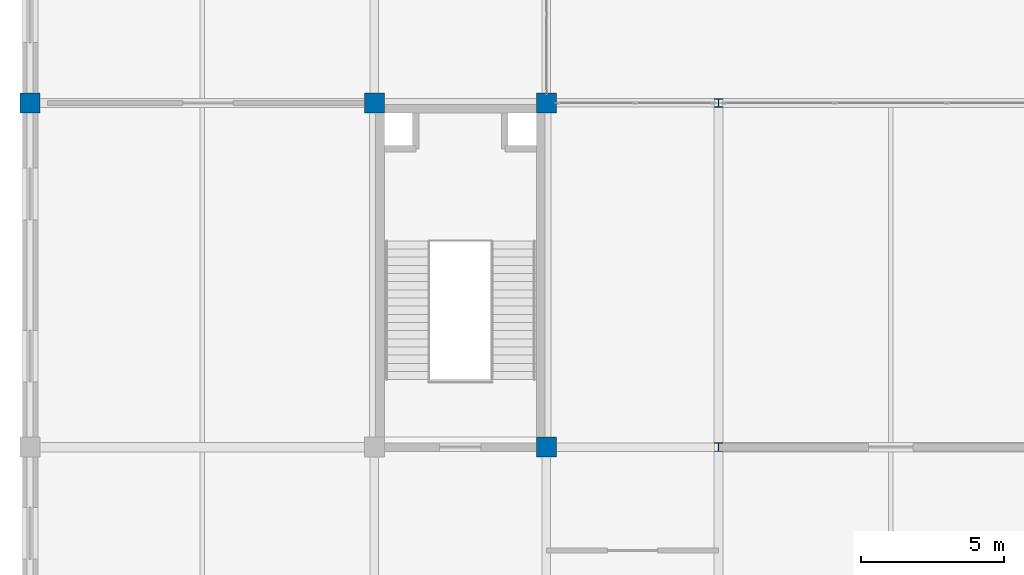
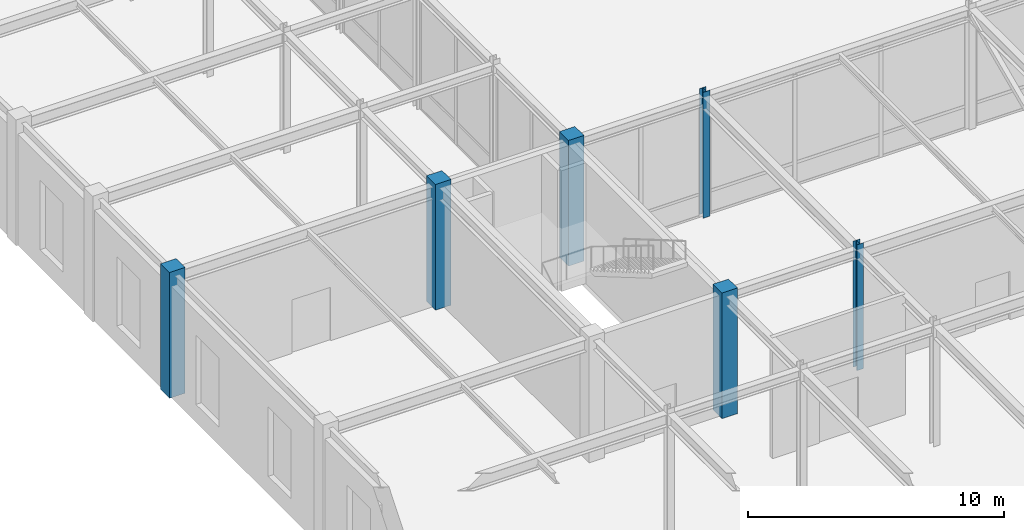
# One storey, part 2 of 108: 6 columns.
"""IFC4 building model written with IfcOpenShell, lengths in metres."""

import ifcopenshell
import ifcopenshell.guid

model = None  # the IFC model being written
_history = None  # IfcOwnerHistory: only IFC2X3 demands one
_inside = {}  # id of a spatial element -> (the spatial element, [elements in it])
_under = {}  # id of a project, library or spatial element -> (it, [spatial elements below it])
_declared = {}  # id of a project -> (the project, [libraries it declares])
_typed = {}  # id of a type object -> (the type object, [elements of that type])
_made_of = {}  # id of a material, layer set ... -> (it, [elements and type objects made of it])


def new_model(schema):
    """Start an empty IFC model of exactly this schema.

    Asked for "IFC4X3", IfcOpenShell would pick the latest addendum, in which some entities
    have other attributes; the version numbers below select the first issue.
    IFC2X3 requires an IfcOwnerHistory on every rooted entity: one is made here for all.
    """
    global model, _history
    if schema == "IFC4X3":
        model = ifcopenshell.file(schema_version=(4, 3, 0, 0))
    else:
        model = ifcopenshell.file(schema=schema)
    _inside.clear()
    _under.clear()
    _declared.clear()
    _typed.clear()
    _made_of.clear()
    _history = None
    if model.schema == "IFC2X3":
        org = make("IfcOrganization", Name="unknown")
        user = make(
            "IfcPersonAndOrganization",
            ThePerson=make("IfcPerson", FamilyName="unknown"),
            TheOrganization=org,
        )
        app = make(
            "IfcApplication",
            ApplicationDeveloper=org,
            Version="unknown",
            ApplicationFullName="unknown",
            ApplicationIdentifier="unknown",
        )
        _history = make(
            "IfcOwnerHistory",
            OwningUser=user,
            OwningApplication=app,
            ChangeAction="ADDED",
            CreationDate=0,
        )
    return model


def make(cls, **values):
    """One entity of the class cls with the attributes given. An attribute that is None is left unset."""
    return model.create_entity(
        cls, **{name: value for name, value in values.items() if value is not None}
    )


def rooted(cls, **values):
    """An entity with a GlobalId (a new one), such as an element, a storey or a relation."""
    return make(cls, GlobalId=ifcopenshell.guid.new(), OwnerHistory=_history, **values)


def si_unit(unit_type, name, prefix=None):
    """IfcSIUnit, for example si_unit("LENGTHUNIT", "METRE", prefix="MILLI")."""
    return make("IfcSIUnit", UnitType=unit_type, Prefix=prefix, Name=name)


def assignment(units):
    """IfcUnitAssignment: the units of a project."""
    return None if units is None else make("IfcUnitAssignment", Units=units)


def point(xyz):
    """IfcCartesianPoint."""
    return None if xyz is None else make("IfcCartesianPoint", Coordinates=xyz)


def direction(xyz):
    """IfcDirection."""
    return None if xyz is None else make("IfcDirection", DirectionRatios=xyz)


def frame(location, z_axis=None, x_axis=None):
    """IfcAxis2Placement3D, a coordinate frame: its origin and axes. An axis left out is left unset."""
    return make(
        "IfcAxis2Placement3D",
        Location=point(location),
        Axis=direction(z_axis),
        RefDirection=direction(x_axis),
    )


def frame_2d(location, x_axis=None):
    """IfcAxis2Placement2D, a coordinate frame in the plane: its origin and x axis."""
    return make(
        "IfcAxis2Placement2D", Location=point(location), RefDirection=direction(x_axis)
    )


def origin():
    """The frame at (0, 0, 0) with its axes left unset."""
    return frame((0.0, 0.0, 0.0))


def origin_2d():
    """The frame at (0, 0) in the plane with its x axis left unset."""
    return frame_2d((0.0, 0.0))


def place(relative_to, where):
    """IfcLocalPlacement: puts the frame where relative to a parent placement (None: the world)."""
    return make(
        "IfcLocalPlacement", PlacementRelTo=relative_to, RelativePlacement=where
    )


def context(
    kind, dimensions, precision=None, world=None, true_north=None, identifier=None
):
    """IfcGeometricRepresentationContext, for example the 3D "Model" context."""
    return make(
        "IfcGeometricRepresentationContext",
        ContextIdentifier=identifier,
        ContextType=kind,
        CoordinateSpaceDimension=dimensions,
        Precision=precision,
        WorldCoordinateSystem=world,
        TrueNorth=true_north,
    )


def subcontext(parent, identifier, kind, view, scale=None):
    """IfcGeometricRepresentationSubContext, for example "Body" below "Model"."""
    return make(
        "IfcGeometricRepresentationSubContext",
        ContextIdentifier=identifier,
        ContextType=kind,
        ParentContext=parent,
        TargetScale=scale,
        TargetView=view,
    )


def project(units=None, contexts=None):
    """IfcProject with its units and contexts."""
    return rooted(
        "IfcProject",
        Name="project",
        RepresentationContexts=contexts,
        UnitsInContext=assignment(units),
    )


def spatial(cls, under=None, at=None, **own):
    """A site, building, storey or space (cls), placed at a placement, below another one or the project."""
    s = rooted(cls, ObjectPlacement=at, **own)
    if under is not None:
        _under.setdefault(under.id(), (under, []))[1].append(s)
    return s


def profile(cls, at=None, kind="AREA", **sizes):
    """A parametric profile (cls). Its sizes go by their IFC names, for example OverallWidth=200.0."""
    return make(cls, ProfileType=kind, Position=at, **sizes)


def rectangle(**sizes):
    """IfcRectangleProfileDef."""
    return profile("IfcRectangleProfileDef", **sizes)


def i_section(**sizes):
    """IfcIShapeProfileDef."""
    return profile("IfcIShapeProfileDef", **sizes)


def extrude(swept, where, along, depth):
    """IfcExtrudedAreaSolid: the profile swept, set in the frame where, extruded along a direction by depth."""
    return make(
        "IfcExtrudedAreaSolid",
        SweptArea=swept,
        Position=where,
        ExtrudedDirection=direction(along),
        Depth=depth,
    )


def shape(context_of_items, identifier, shape_type, items):
    """IfcShapeRepresentation: the items that make up one representation, for example the "Body"."""
    return make(
        "IfcShapeRepresentation",
        ContextOfItems=context_of_items,
        RepresentationIdentifier=identifier,
        RepresentationType=shape_type,
        Items=items,
    )


def material(Name=None, Category=None):
    """IfcMaterial."""
    return make("IfcMaterial", Name=Name, Category=Category)


def material_profile(
    of_material, cross_section, Name=None, Category=None, Priority=None
):
    """IfcMaterialProfile: a cross section and its material."""
    return make(
        "IfcMaterialProfile",
        Name=Name,
        Material=of_material,
        Profile=cross_section,
        Priority=Priority,
        Category=Category,
    )


def profile_set(profiles, Name=None, composite=None):
    """IfcMaterialProfileSet."""
    return make(
        "IfcMaterialProfileSet",
        Name=Name,
        MaterialProfiles=profiles,
        CompositeProfile=composite,
    )


def made_of(thing, what):
    """Note that an element or type object is made of a material, layer set ...; save() writes the relation."""
    if what is not None:
        _made_of.setdefault(what.id(), (what, []))[1].append(thing)
    return thing


def type_object(cls, material=None, **own):
    """A type object (cls), such as IfcWallType, which elements share."""
    return made_of(rooted(cls, **own), material)


def element(
    cls,
    number,
    at=None,
    inside=None,
    cuts=None,
    type_object=None,
    material=None,
    context=None,
    identifier="Body",
    shape_type=None,
    held_by="IfcProductDefinitionShape",
    body=None,
    shapes=None,
    **own,
):
    """One element of the class cls, such as IfcWall. Its Tag is "e" and its number.

    at: its placement. inside: the storey or other place that contains it. cuts: it is an
    opening in that element (IfcRelVoidsElement). A single representation is given by context,
    identifier, shape_type and body (its items); several are given by shapes. held_by: the class
    of the entity that holds the representations. save() writes the other relations.
    """
    e = rooted(cls, Tag="e%d" % number, ObjectPlacement=at, **own)
    if body is not None:
        shapes = [shape(context, identifier, shape_type, body)]
    if shapes is not None:
        e.Representation = make(held_by, Representations=shapes)
    if inside is not None:
        _inside.setdefault(inside.id(), (inside, []))[1].append(e)
    if cuts is not None:
        rooted(
            "IfcRelVoidsElement", RelatingBuildingElement=cuts, RelatedOpeningElement=e
        )
    if type_object is not None:
        _typed.setdefault(type_object.id(), (type_object, []))[1].append(e)
    return made_of(e, material)


def aggregate(whole, parts):
    """IfcRelAggregates: a whole, such as a stair, and the parts it consists of."""
    return rooted("IfcRelAggregates", RelatingObject=whole, RelatedObjects=parts)


def save(model, path):
    """Write the relations noted so far, then the file.

    IfcRelAggregates (storeys below a building ...), IfcRelContainedInSpatialStructure (elements
    in a storey), IfcRelDefinesByType, IfcRelAssociatesMaterial and IfcRelDeclares: one each for
    every whole, place, type object, material and project.
    """
    for whole, parts in _under.values():
        aggregate(whole, parts)
    for where, things in _inside.values():
        rooted(
            "IfcRelContainedInSpatialStructure",
            RelatedElements=things,
            RelatingStructure=where,
        )
    for kind, things in _typed.values():
        rooted("IfcRelDefinesByType", RelatedObjects=things, RelatingType=kind)
    for what, things in _made_of.values():
        rooted("IfcRelAssociatesMaterial", RelatedObjects=things, RelatingMaterial=what)
    for by, libraries in _declared.values():
        rooted("IfcRelDeclares", RelatingContext=by, RelatedDefinitions=libraries)
    model.write(path)


model = new_model("IFC4")

# Units and contexts
model_context = context("Model", 3, precision=1e-05, world=origin(), true_north=direction((0.0, 1.0)))
body_context = subcontext(model_context, "Body", "Model", "MODEL_VIEW")
ifc_project = project(units=[si_unit("LENGTHUNIT", "METRE"), si_unit("AREAUNIT", "SQUARE_METRE"), si_unit("VOLUMEUNIT", "CUBIC_METRE"), si_unit("PLANEANGLEUNIT", "RADIAN"), si_unit("MASSUNIT", "GRAM", prefix="KILO")], contexts=[model_context])

# Site, building, storey
site_placement = place(None, origin())
site = spatial("IfcSite", under=ifc_project, at=site_placement, CompositionType="ELEMENT")
building_placement = place(site_placement, origin())
building = spatial("IfcBuilding", under=site, at=building_placement, Name="Zlatovratsky Civic Hall", CompositionType="ELEMENT")
storey_placement = place(building_placement, frame((0.0, 0.0, 6.0)))
storey = spatial("IfcBuildingStorey", under=building, at=storey_placement, Name="L02", CompositionType="ELEMENT", Elevation=6.0)

# Columns
ifc_material_1 = material(Name="Concrete C35/45 (B40)", Category="concrete")
ifc_material_profile_1 = material_profile(ifc_material_1, rectangle(XDim=0.699951171875, YDim=0.699951171875, at=origin_2d()), Name="RC 700x700")
ifc_profile_set_1 = profile_set([ifc_material_profile_1], Name="Concrete C35/45 (B40)")
column_type_1 = type_object("IfcColumnType", Name="Col_CorePier_RC700", PredefinedType="COLUMN", material=ifc_profile_set_1)
for number, where, z_axis, x_axis, name in (
    (1, (18.0, 18.0, 0.0), (0.0, 0.0, 1.0), (1.0, 0.0, 0.0), "CL-0861"),
    (2, (0.0, 30.0, 0.0), (0.0, 0.0, 1.0), (1.0, 0.0, 0.0), "CL-0882"),
    (3, (12.0, 30.0, 0.0), (0.0, 0.0, 1.0), (1.0, 0.0, 0.0), "CL-0883"),
    (4, (18.0, 30.0, 0.0), (0.0, 0.0, 1.0), (1.0, 0.0, 0.0), "CL-0884"),
):
    element("IfcColumn", number, at=place(storey_placement, frame(where, z_axis=z_axis, x_axis=x_axis)), inside=storey, type_object=column_type_1, Name=name, PredefinedType="COLUMN", context=body_context, shape_type="SweptSolid", body=[
        extrude(rectangle(XDim=0.699951171875, YDim=0.699951171875, at=origin_2d()), origin(), (0.0, 0.0, 1.0), 6.0),
    ])
ifc_material_2 = material(Name="Steel S355", Category="steel")
ifc_material_profile_2 = material_profile(ifc_material_2, i_section(OverallWidth=0.300048828125, OverallDepth=0.300048828125, WebThickness=0.010009765625, FlangeThickness=0.014892578125, FilletRadius=0.01806640625, at=origin_2d()), Name="30K2")
ifc_profile_set_2 = profile_set([ifc_material_profile_2], Name="Steel S355")
column_type_2 = type_object("IfcColumnType", Name="Col_Steel_30K2", PredefinedType="COLUMN", material=ifc_profile_set_2)
for number, where, z_axis, x_axis, name in (
    (5, (24.0, 18.0, 0.0), (0.0, 0.0, 1.0), (1.0, 0.0, 0.0), "CL-0862"),
    (6, (24.0, 30.0, 0.0), (0.0, 0.0, 1.0), (1.0, 0.0, 0.0), "CL-0885"),
):
    element("IfcColumn", number, at=place(storey_placement, frame(where, z_axis=z_axis, x_axis=x_axis)), inside=storey, type_object=column_type_2, Name=name, PredefinedType="COLUMN", context=body_context, shape_type="SweptSolid", body=[
        extrude(i_section(OverallWidth=0.300048828125, OverallDepth=0.300048828125, WebThickness=0.010009765625, FlangeThickness=0.014892578125, FilletRadius=0.01806640625, at=origin_2d()), origin(), (0.0, 0.0, 1.0), 6.0),
    ])

save(model, "model.ifc")
